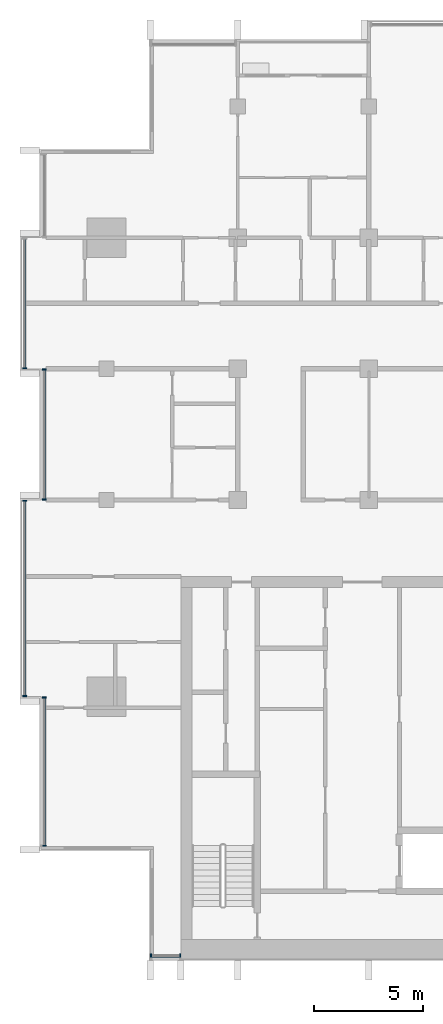
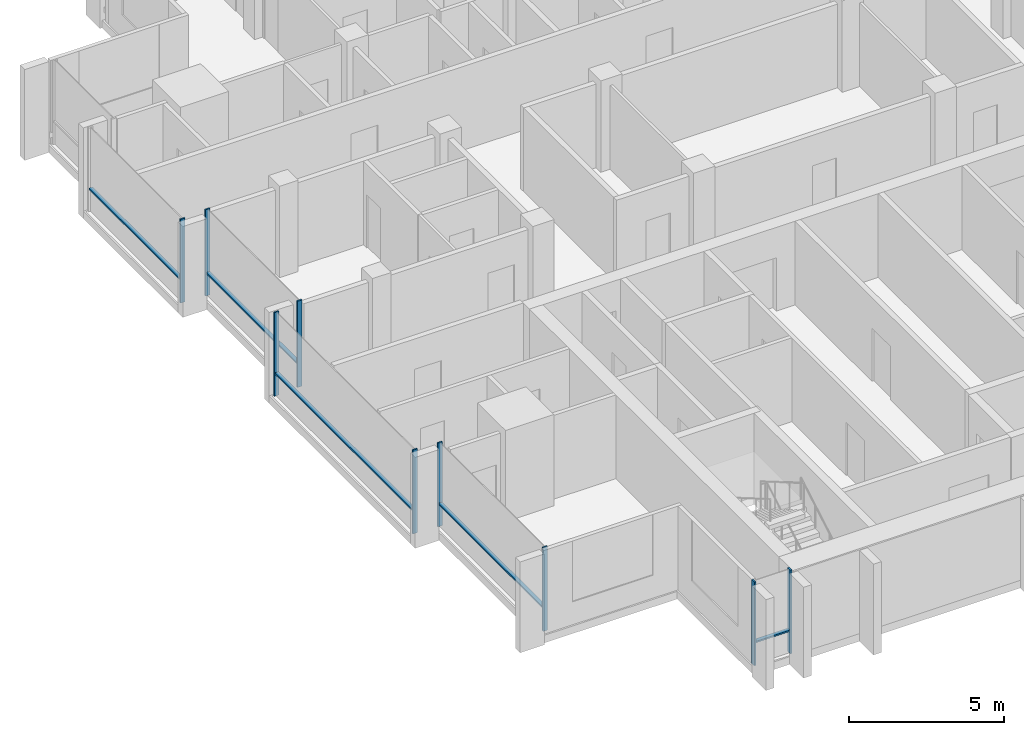
# One storey, part 2 of 16: 14 members, 5 elements without a shape of their own.
"""IFC4 building model written with IfcOpenShell, lengths in metres."""

from ifc_helpers import new_model, si_unit, direction, frame, origin, origin_2d, place, context, subcontext, project, spatial, rectangle, extrude, material, material_profile, profile_set, type_object, element, aggregate, save


model = new_model("IFC4")

# Units and contexts
model_context = context("Model", 3, precision=1e-05, world=origin(), true_north=direction((0.0, 1.0)))
body_context = subcontext(model_context, "Body", "Model", "MODEL_VIEW")
ifc_project = project(units=[si_unit("LENGTHUNIT", "METRE"), si_unit("AREAUNIT", "SQUARE_METRE"), si_unit("VOLUMEUNIT", "CUBIC_METRE"), si_unit("PLANEANGLEUNIT", "RADIAN"), si_unit("MASSUNIT", "GRAM", prefix="KILO")], contexts=[model_context])

# Site, building, storey
site_placement = place(None, origin())
site = spatial("IfcSite", under=ifc_project, at=site_placement, CompositionType="ELEMENT")
building_placement = place(site_placement, origin())
building = spatial("IfcBuilding", under=site, at=building_placement, Name="Finial Court Residences", CompositionType="ELEMENT")
storey_placement = place(building_placement, frame((0.0, 0.0, 291.5)))
storey = spatial("IfcBuildingStorey", under=building, at=storey_placement, Name="L74", CompositionType="ELEMENT", Elevation=291.5)

# Curtain wall, members
ifc_material = material(Name="Bronze anodised aluminium", Category="aluminium")
curtain_wall_type = type_object("IfcCurtainWallType", Name="Unitised curtain wall, upper zones", PredefinedType="NOTDEFINED", material=ifc_material)
curtain_wall_1_placement = place(storey_placement, origin())
curtain_wall_1 = element("IfcCurtainWall", 1, at=curtain_wall_1_placement, inside=storey, type_object=curtain_wall_type, Name="E-L74-CW-S7", PredefinedType="NOTDEFINED")
ifc_material_profile_1 = material_profile(ifc_material, rectangle(XDim=0.175048828125, YDim=0.06005859375, at=origin_2d()), Name="CW2 mullion 60 x 175")
ifc_profile_set_1 = profile_set([ifc_material_profile_1], Name="Bronze anodised aluminium")
member_type_1 = type_object("IfcMemberType", Name="CW2 mullion 60 x 175", PredefinedType="MULLION", material=ifc_profile_set_1)
member_1_placement = place(storey_placement, frame((-14.469970703125, -25.35009765625, 0.0), z_axis=(0.0, 0.0, 1.0), x_axis=(0.0, 1.0, 0.0)))
member_1 = element("IfcMember", 2, at=member_1_placement, type_object=member_type_1, Name="CW2 mullion 1", PredefinedType="MULLION", context=body_context, shape_type="SweptSolid", body=[
    extrude(rectangle(XDim=0.175048828125, YDim=0.06005859375, at=origin_2d()), origin(), (0.0, 0.0, 1.0), 3.300048828125),
])
member_2_placement = place(storey_placement, frame((-13.1298828125, -25.35009765625, 0.0), z_axis=(0.0, 0.0, 1.0), x_axis=(0.0, 1.0, 0.0)))
member_2 = element("IfcMember", 3, at=member_2_placement, type_object=member_type_1, Name="CW2 mullion 2", PredefinedType="MULLION", context=body_context, shape_type="SweptSolid", body=[
    extrude(rectangle(XDim=0.175048828125, YDim=0.06005859375, at=origin_2d()), origin(), (0.0, 0.0, 1.0), 3.300048828125),
])

curtain_wall_2_placement = place(storey_placement, origin())
curtain_wall_2 = element("IfcCurtainWall", 4, at=curtain_wall_2_placement, inside=storey, type_object=curtain_wall_type, Name="E-L74-CW-W9", PredefinedType="NOTDEFINED")
member_3_placement = place(storey_placement, frame((-19.35009765625, -20.320068359375, 0.0), z_axis=(0.0, 0.0, 1.0), x_axis=(-1.0, 0.0, 0.0)))
member_3 = element("IfcMember", 5, at=member_3_placement, type_object=member_type_1, Name="CW2 mullion 1", PredefinedType="MULLION", context=body_context, shape_type="SweptSolid", body=[
    extrude(rectangle(XDim=0.175048828125, YDim=0.06005859375, at=origin_2d()), origin(), (0.0, 0.0, 1.0), 3.300048828125),
])
member_4_placement = place(storey_placement, frame((-19.35009765625, -13.530029296875, 0.0), z_axis=(0.0, 0.0, 1.0), x_axis=(-1.0, 0.0, 0.0)))
member_4 = element("IfcMember", 6, at=member_4_placement, type_object=member_type_1, Name="CW2 mullion 2", PredefinedType="MULLION", context=body_context, shape_type="SweptSolid", body=[
    extrude(rectangle(XDim=0.175048828125, YDim=0.06005859375, at=origin_2d()), origin(), (0.0, 0.0, 1.0), 3.300048828125),
])

curtain_wall_3_placement = place(storey_placement, origin())
curtain_wall_3 = element("IfcCurtainWall", 7, at=curtain_wall_3_placement, inside=storey, type_object=curtain_wall_type, Name="E-L74-CW-W10", PredefinedType="NOTDEFINED")
member_5_placement = place(storey_placement, frame((-20.25, -13.469970703125, 0.0), z_axis=(0.0, 0.0, 1.0), x_axis=(-1.0, 0.0, 0.0)))
member_5 = element("IfcMember", 8, at=member_5_placement, type_object=member_type_1, Name="CW2 mullion 1", PredefinedType="MULLION", context=body_context, shape_type="SweptSolid", body=[
    extrude(rectangle(XDim=0.175048828125, YDim=0.06005859375, at=origin_2d()), origin(), (0.0, 0.0, 1.0), 3.300048828125),
])
member_6_placement = place(storey_placement, frame((-20.25, -4.530029296875, 0.0), z_axis=(0.0, 0.0, 1.0), x_axis=(-1.0, 0.0, 0.0)))
member_6 = element("IfcMember", 9, at=member_6_placement, type_object=member_type_1, Name="CW2 mullion 2", PredefinedType="MULLION", context=body_context, shape_type="SweptSolid", body=[
    extrude(rectangle(XDim=0.175048828125, YDim=0.06005859375, at=origin_2d()), origin(), (0.0, 0.0, 1.0), 3.300048828125),
])

curtain_wall_4_placement = place(storey_placement, origin())
curtain_wall_4 = element("IfcCurtainWall", 10, at=curtain_wall_4_placement, inside=storey, type_object=curtain_wall_type, Name="E-L74-CW-W11", PredefinedType="NOTDEFINED")
member_7_placement = place(storey_placement, frame((-19.35009765625, -4.469970703125, 0.0), z_axis=(0.0, 0.0, 1.0), x_axis=(-1.0, 0.0, 0.0)))
member_7 = element("IfcMember", 11, at=member_7_placement, type_object=member_type_1, Name="CW2 mullion 1", PredefinedType="MULLION", context=body_context, shape_type="SweptSolid", body=[
    extrude(rectangle(XDim=0.175048828125, YDim=0.06005859375, at=origin_2d()), origin(), (0.0, 0.0, 1.0), 3.39990234375),
])
member_8_placement = place(storey_placement, frame((-19.35009765625, 1.469970703125, 0.0), z_axis=(0.0, 0.0, 1.0), x_axis=(-1.0, 0.0, 0.0)))
member_8 = element("IfcMember", 12, at=member_8_placement, type_object=member_type_1, Name="CW2 mullion 2", PredefinedType="MULLION", context=body_context, shape_type="SweptSolid", body=[
    extrude(rectangle(XDim=0.175048828125, YDim=0.06005859375, at=origin_2d()), origin(), (0.0, 0.0, 1.0), 3.39990234375),
])

# Curtain wall, member
curtain_wall_5_placement = place(storey_placement, origin())
curtain_wall_5 = element("IfcCurtainWall", 13, at=curtain_wall_5_placement, inside=storey, type_object=curtain_wall_type, Name="E-L74-CW-W12", PredefinedType="NOTDEFINED")
member_9_placement = place(storey_placement, frame((-20.25, 1.530029296875, 0.0), z_axis=(0.0, 0.0, 1.0), x_axis=(-1.0, 0.0, 0.0)))
member_9 = element("IfcMember", 14, at=member_9_placement, type_object=member_type_1, Name="CW2 mullion 1", PredefinedType="MULLION", context=body_context, shape_type="SweptSolid", body=[
    extrude(rectangle(XDim=0.175048828125, YDim=0.06005859375, at=origin_2d()), origin(), (0.0, 0.0, 1.0), 3.300048828125),
])

# Member
ifc_material_profile_2 = material_profile(ifc_material, rectangle(XDim=0.139892578125, YDim=0.06005859375, at=origin_2d()), Name="CW2 transom 60 x 140")
ifc_profile_set_2 = profile_set([ifc_material_profile_2], Name="Bronze anodised aluminium")
member_type_2 = type_object("IfcMemberType", Name="CW2 transom 60 x 140", PredefinedType="USERDEFINED", material=ifc_profile_set_2)
member_10_placement = place(storey_placement, frame((-14.43994140625, -25.35009765625, 0.89990234375), z_axis=(1.0, 0.0, 0.0), x_axis=(0.0, 1.0, 0.0)))
member_10 = element("IfcMember", 15, at=member_10_placement, type_object=member_type_2, Name="CW2 transom 1.1", ObjectType="TRANSOM", PredefinedType="USERDEFINED", context=body_context, shape_type="SweptSolid", body=[
    extrude(rectangle(XDim=0.139892578125, YDim=0.06005859375, at=origin_2d()), origin(), (0.0, 0.0, 1.0), 1.280029296875),
])

aggregate(curtain_wall_1, [member_1, member_2, member_10])

member_11_placement = place(storey_placement, frame((-19.35009765625, -20.2900390625, 0.89990234375), z_axis=(0.0, 1.0, 0.0), x_axis=(-1.0, 0.0, 0.0)))
member_11 = element("IfcMember", 16, at=member_11_placement, type_object=member_type_2, Name="CW2 transom 1.1", ObjectType="TRANSOM", PredefinedType="USERDEFINED", context=body_context, shape_type="SweptSolid", body=[
    extrude(rectangle(XDim=0.139892578125, YDim=0.06005859375, at=origin_2d()), origin(), (0.0, 0.0, 1.0), 6.72998046875),
])

aggregate(curtain_wall_2, [member_3, member_4, member_11])

member_12_placement = place(storey_placement, frame((-20.25, -13.43994140625, 0.89990234375), z_axis=(0.0, 1.0, 0.0), x_axis=(-1.0, 0.0, 0.0)))
member_12 = element("IfcMember", 17, at=member_12_placement, type_object=member_type_2, Name="CW2 transom 1.1", ObjectType="TRANSOM", PredefinedType="USERDEFINED", context=body_context, shape_type="SweptSolid", body=[
    extrude(rectangle(XDim=0.139892578125, YDim=0.06005859375, at=origin_2d()), origin(), (0.0, 0.0, 1.0), 8.8798828125),
])

aggregate(curtain_wall_3, [member_5, member_6, member_12])

member_13_placement = place(storey_placement, frame((-19.35009765625, -4.43994140625, 0.89990234375), z_axis=(0.0, 1.0, 0.0), x_axis=(-1.0, 0.0, 0.0)))
member_13 = element("IfcMember", 18, at=member_13_placement, type_object=member_type_2, Name="CW2 transom 1.1", ObjectType="TRANSOM", PredefinedType="USERDEFINED", context=body_context, shape_type="SweptSolid", body=[
    extrude(rectangle(XDim=0.139892578125, YDim=0.06005859375, at=origin_2d()), origin(), (0.0, 0.0, 1.0), 5.8798828125),
])

aggregate(curtain_wall_4, [member_7, member_8, member_13])

member_14_placement = place(storey_placement, frame((-20.25, 1.56005859375, 0.89990234375), z_axis=(0.0, 1.0, 0.0), x_axis=(-1.0, 0.0, 0.0)))
member_14 = element("IfcMember", 19, at=member_14_placement, type_object=member_type_2, Name="CW2 transom 1.1", ObjectType="TRANSOM", PredefinedType="USERDEFINED", context=body_context, shape_type="SweptSolid", body=[
    extrude(rectangle(XDim=0.139892578125, YDim=0.06005859375, at=origin_2d()), origin(), (0.0, 0.0, 1.0), 5.8798828125),
])

aggregate(curtain_wall_5, [member_9, member_14])

save(model, "model.ifc")
